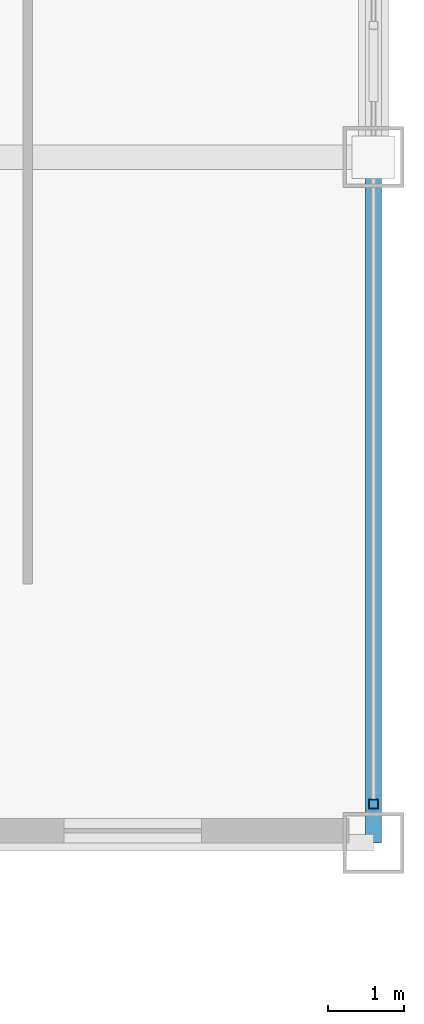
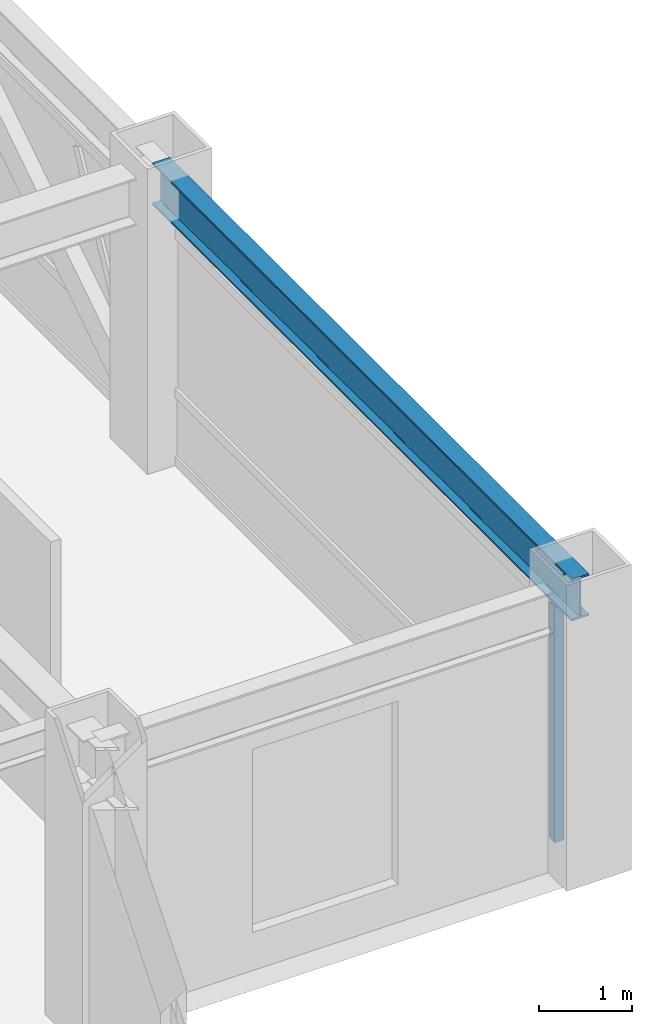
# One storey, part 10 of 28: 1 beam, 1 member, 1 element without a shape of its own.
"""IFC4 building model written with IfcOpenShell, lengths in metres."""

from ifc_helpers import new_model, si_unit, direction, frame, origin, origin_2d, place, context, subcontext, project, spatial, hollow_rectangle, i_section, extrude, source, transform, mapped, material, material_profile, profile_set, type_object, element, aggregate, save


model = new_model("IFC4")

# Units and contexts
model_context = context("Model", 3, precision=1e-05, world=origin(), true_north=direction((0.0, 1.0)))
body_context = subcontext(model_context, "Body", "Model", "MODEL_VIEW")
ifc_project = project(units=[si_unit("LENGTHUNIT", "METRE"), si_unit("AREAUNIT", "SQUARE_METRE"), si_unit("VOLUMEUNIT", "CUBIC_METRE"), si_unit("PLANEANGLEUNIT", "RADIAN"), si_unit("MASSUNIT", "GRAM", prefix="KILO")], contexts=[model_context])

# Site, building, storey
site_placement = place(None, origin())
site = spatial("IfcSite", under=ifc_project, at=site_placement, CompositionType="ELEMENT")
building_placement = place(site_placement, origin())
building = spatial("IfcBuilding", under=site, at=building_placement, Name="Khorayat Bourse Tower", CompositionType="ELEMENT")
storey_placement = place(building_placement, frame((0.0, 0.0, 334.300048828125)))
storey = spatial("IfcBuildingStorey", under=building, at=storey_placement, Name="L79", CompositionType="ELEMENT", Elevation=334.300048828125)

# Beam
ifc_material_1 = material(Name="Steel ASTM A992 Grade 50", Category="steel")
ifc_material_profile_1 = material_profile(ifc_material_1, i_section(OverallWidth=0.214111328125, OverallDepth=0.549072265625, WebThickness=0.0146484375, FlangeThickness=0.023681640625, FilletRadius=0.013916015625, at=origin_2d()), Name="W530X138")
ifc_profile_set_1 = profile_set([ifc_material_profile_1], Name="Steel ASTM A992 Grade 50")
beam_type = type_object("IfcBeamType", Name="BM-SPAN-530", PredefinedType="SPANDREL", material=ifc_profile_set_1)
shared_shape_1 = source(origin(), body_context, "Body", "SweptSolid", [
    extrude(i_section(OverallWidth=0.214111328125, OverallDepth=0.549072265625, WebThickness=0.0146484375, FlangeThickness=0.023681640625, FilletRadius=0.013916015625, at=origin_2d()), origin(), (0.0, 0.0, 1.0), 9.0),
])
beam_placement = place(storey_placement, frame((26.0, -20.0, 3.46533203125), z_axis=(0.0, 1.0, 0.0), x_axis=(-1.0, 0.0, 0.0)))
element("IfcBeam", 1, at=beam_placement, inside=storey, type_object=beam_type, Name="L79 BM-SPAN-530 BM-L79-SPN-032", PredefinedType="SPANDREL", context=body_context, shape_type="MappedRepresentation", body=[
    mapped(shared_shape_1, transform((0.0, 0.0, 0.0), scale=1.0)),
])

# Curtain wall, member
ifc_material_2 = material(Name="Aluminium EN AW-6063 T6", Category="aluminium")
curtain_wall_type = type_object("IfcCurtainWallType", Name="CW-SYS-04", PredefinedType="NOTDEFINED", material=ifc_material_2)
curtain_wall_placement = place(storey_placement, origin())
curtain_wall = element("IfcCurtainWall", 2, at=curtain_wall_placement, inside=storey, type_object=curtain_wall_type, Name="L79 Curtain Wall CW-L79-E1", PredefinedType="NOTDEFINED")
ifc_material_profile_2 = material_profile(ifc_material_2, hollow_rectangle(XDim=0.1201171875, YDim=0.1201171875, WallThickness=0.0048828125, at=origin_2d()), Name="ALU 120x120x5")
ifc_profile_set_2 = profile_set([ifc_material_profile_2], Name="Aluminium EN AW-6063 T6")
member_type = type_object("IfcMemberType", Name="CWM-VERT-120", PredefinedType="MULLION", material=ifc_profile_set_2)
shared_shape_2 = source(origin(), body_context, "Body", "SweptSolid", [
    extrude(hollow_rectangle(XDim=0.1201171875, YDim=0.1201171875, WallThickness=0.0048828125, at=origin_2d()), origin(), (0.0, 0.0, 1.0), 3.08984375),
])
member_placement = place(storey_placement, frame((26.0, -19.489990234375, 0.0), z_axis=(0.0, 0.0, 1.0), x_axis=(-1.0, 0.0, 0.0)))
member = element("IfcMember", 3, at=member_placement, type_object=member_type, Name="CW-L79-E1 Vertical Mullion 1", PredefinedType="MULLION", context=body_context, shape_type="MappedRepresentation", body=[
    mapped(shared_shape_2, transform((0.0, 0.0, 0.0), scale=1.0)),
])
aggregate(curtain_wall, [member])

save(model, "model.ifc")
